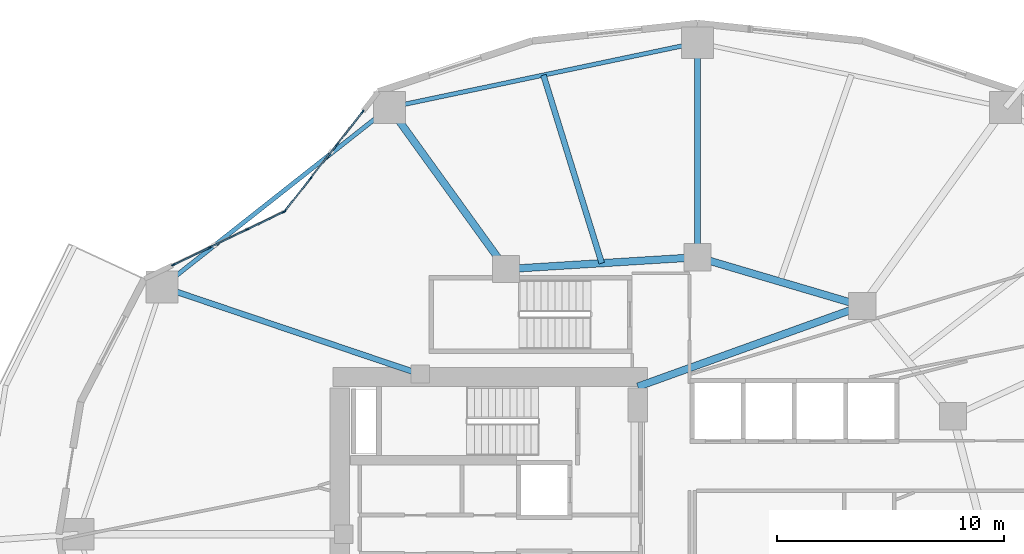
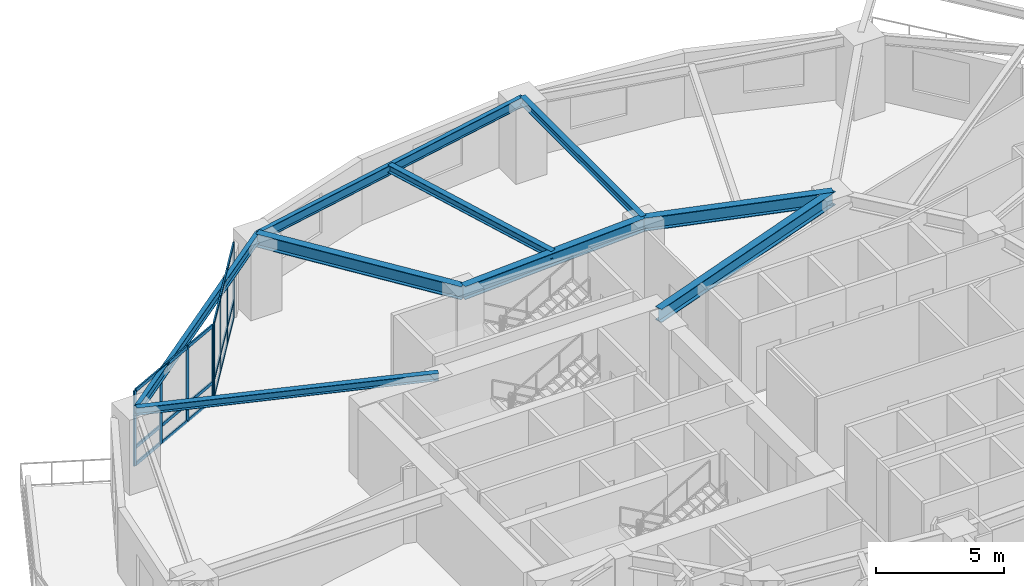
# One storey, part 4 of 14: 26 members, 9 beams, 2 elements without a shape of their own.
"""IFC4 building model written with IfcOpenShell, lengths in metres."""

from ifc_helpers import new_model, si_unit, direction, frame, origin, origin_2d, place, context, subcontext, project, spatial, rectangle, i_section, extrude, material, layer, layer_set, material_profile, profile_set, type_object, element, aggregate, save


model = new_model("IFC4")

# Units and contexts
model_context = context("Model", 3, precision=1e-05, world=origin(), true_north=direction((0.0, 1.0)))
body_context = subcontext(model_context, "Body", "Model", "MODEL_VIEW")
ifc_project = project(units=[si_unit("LENGTHUNIT", "METRE"), si_unit("AREAUNIT", "SQUARE_METRE"), si_unit("VOLUMEUNIT", "CUBIC_METRE"), si_unit("PLANEANGLEUNIT", "RADIAN"), si_unit("MASSUNIT", "GRAM", prefix="KILO")], contexts=[model_context])

# Site, building, storey
site_placement = place(None, origin())
site = spatial("IfcSite", under=ifc_project, at=site_placement, CompositionType="ELEMENT")
building_placement = place(site_placement, origin())
building = spatial("IfcBuilding", under=site, at=building_placement, Name="Kolvaren Gate Tower and Convention Centre", CompositionType="ELEMENT")
storey_placement = place(building_placement, frame((0.0, 0.0, 45.75)))
storey = spatial("IfcBuildingStorey", under=building, at=storey_placement, Name="L10", CompositionType="ELEMENT", Elevation=45.75)

# Curtain wall, members
ifc_material_1 = material(Name="Anodized Architectural Aluminium Alloy 6063-T6", Category="aluminium")
ifc_layer = layer(ifc_material_1, 0.159912109375)
ifc_layer_set = layer_set([ifc_layer], Name="Anodized Architectural Aluminium Alloy 6063-T6")
curtain_wall_type = type_object("IfcCurtainWallType", Name="CW-OFF-UNIT", PredefinedType="NOTDEFINED", material=ifc_layer_set)
curtain_wall_1_placement = place(storey_placement, origin())
curtain_wall_1 = element("IfcCurtainWall", 1, at=curtain_wall_1_placement, inside=storey, type_object=curtain_wall_type, Name="Tower L10 Unitised Curtain Wall CW-OFF-UNIT Bay 08", PredefinedType="NOTDEFINED")
ifc_material_profile_1 = material_profile(ifc_material_1, rectangle(XDim=0.06494140625, YDim=0.159912109375, at=origin_2d()), Name="CW-MEM-MUL-160")
ifc_profile_set_1 = profile_set([ifc_material_profile_1], Name="Anodized Architectural Aluminium Alloy 6063-T6")
member_type_1 = type_object("IfcMemberType", Name="CW-MEM-MUL-160", PredefinedType="MULLION", material=ifc_profile_set_1)
member_1_placement = place(storey_placement, frame((11.954833984375, 41.23828125, 0.0), z_axis=(0.0, 0.0, 1.0), x_axis=(-0.787416755422, 0.616421003276, 0.0)))
member_1 = element("IfcMember", 2, at=member_1_placement, type_object=member_type_1, Name="CW-02 mullion 1", PredefinedType="MULLION", context=body_context, shape_type="SweptSolid", body=[
    extrude(rectangle(XDim=0.06494140625, YDim=0.159912109375, at=origin_2d()), origin(), (0.0, 0.0, 1.0), 3.570068359375),
])
member_2_placement = place(storey_placement, frame((13.08935546875, 42.68798828125, 0.0), z_axis=(0.0, 0.0, 1.0), x_axis=(-0.787416755422, 0.616421003276, 0.0)))
member_2 = element("IfcMember", 3, at=member_2_placement, type_object=member_type_1, Name="CW-02 mullion 2", PredefinedType="MULLION", context=body_context, shape_type="SweptSolid", body=[
    extrude(rectangle(XDim=0.06494140625, YDim=0.159912109375, at=origin_2d()), origin(), (0.0, 0.0, 1.0), 3.570068359375),
])
member_3_placement = place(storey_placement, frame((14.244140625, 44.1630859375, 0.0), z_axis=(0.0, 0.0, 1.0), x_axis=(-0.787416755422, 0.616421003276, 0.0)))
member_3 = element("IfcMember", 4, at=member_3_placement, type_object=member_type_1, Name="CW-02 mullion 3", PredefinedType="MULLION", context=body_context, shape_type="SweptSolid", body=[
    extrude(rectangle(XDim=0.06494140625, YDim=0.159912109375, at=origin_2d()), origin(), (0.0, 0.0, 1.0), 3.570068359375),
])
member_4_placement = place(storey_placement, frame((15.37890625, 45.612548828125, 0.0), z_axis=(0.0, 0.0, 1.0), x_axis=(-0.787416755422, 0.616421003276, 0.0)))
member_4 = element("IfcMember", 5, at=member_4_placement, type_object=member_type_1, Name="CW-02 mullion 4", PredefinedType="MULLION", context=body_context, shape_type="SweptSolid", body=[
    extrude(rectangle(XDim=0.06494140625, YDim=0.159912109375, at=origin_2d()), origin(), (0.0, 0.0, 1.0), 3.570068359375),
])

curtain_wall_2_placement = place(storey_placement, origin())
curtain_wall_2 = element("IfcCurtainWall", 6, at=curtain_wall_2_placement, inside=storey, type_object=curtain_wall_type, Name="Tower L10 Unitised Curtain Wall CW-OFF-UNIT Bay 09", PredefinedType="NOTDEFINED")
member_5_placement = place(storey_placement, frame((7.0419921875, 38.862060546875, 0.0), z_axis=(0.0, 0.0, 1.0), x_axis=(-0.433056703319, 0.901366679942, 0.0)))
member_5 = element("IfcMember", 7, at=member_5_placement, type_object=member_type_1, Name="CW-02 mullion 1", PredefinedType="MULLION", context=body_context, shape_type="SweptSolid", body=[
    extrude(rectangle(XDim=0.06494140625, YDim=0.159912109375, at=origin_2d()), origin(), (0.0, 0.0, 1.0), 3.570068359375),
])
member_6_placement = place(storey_placement, frame((8.6533203125, 39.63623046875, 0.0), z_axis=(0.0, 0.0, 1.0), x_axis=(-0.433056703319, 0.901366679942, 0.0)))
member_6 = element("IfcMember", 8, at=member_6_placement, type_object=member_type_1, Name="CW-02 mullion 2", PredefinedType="MULLION", context=body_context, shape_type="SweptSolid", body=[
    extrude(rectangle(XDim=0.06494140625, YDim=0.159912109375, at=origin_2d()), origin(), (0.0, 0.0, 1.0), 3.570068359375),
])
member_7_placement = place(storey_placement, frame((10.2939453125, 40.424560546875, 0.0), z_axis=(0.0, 0.0, 1.0), x_axis=(-0.433056703319, 0.901366679942, 0.0)))
member_7 = element("IfcMember", 9, at=member_7_placement, type_object=member_type_1, Name="CW-02 mullion 3", PredefinedType="MULLION", context=body_context, shape_type="SweptSolid", body=[
    extrude(rectangle(XDim=0.06494140625, YDim=0.159912109375, at=origin_2d()), origin(), (0.0, 0.0, 1.0), 3.570068359375),
])
member_8_placement = place(storey_placement, frame((11.905517578125, 41.19873046875, 0.0), z_axis=(0.0, 0.0, 1.0), x_axis=(-0.433056703319, 0.901366679942, 0.0)))
member_8 = element("IfcMember", 10, at=member_8_placement, type_object=member_type_1, Name="CW-02 mullion 4", PredefinedType="MULLION", context=body_context, shape_type="SweptSolid", body=[
    extrude(rectangle(XDim=0.06494140625, YDim=0.159912109375, at=origin_2d()), origin(), (0.0, 0.0, 1.0), 3.570068359375),
])

# Member
ifc_material_profile_2 = material_profile(ifc_material_1, rectangle(XDim=0.06494140625, YDim=0.159912109375, at=origin_2d()), Name="CW-MEM-TRN-160")
ifc_profile_set_2 = profile_set([ifc_material_profile_2], Name="Anodized Architectural Aluminium Alloy 6063-T6")
member_type_2 = type_object("IfcMemberType", Name="CW-MEM-TRN-160", PredefinedType="USERDEFINED", material=ifc_profile_set_2)
member_9_placement = place(storey_placement, frame((11.974853515625, 41.263916015625, 0.032470703125), z_axis=(0.616326796425, 0.787490495186, 0.0), x_axis=(-0.787490495186, 0.616326796425, 0.0)))
member_9 = element("IfcMember", 11, at=member_9_placement, type_object=member_type_2, Name="CW-02 transom 1.1", ObjectType="TRANSOM", PredefinedType="USERDEFINED", context=body_context, shape_type="SweptSolid", body=[
    extrude(rectangle(XDim=0.06494140625, YDim=0.159912109375, at=origin_2d()), origin(), (0.0, 0.0, 1.0), 1.77587890625),
])

member_10_placement = place(storey_placement, frame((11.974853515625, 41.263916015625, 0.85009765625), z_axis=(0.616326796425, 0.787490495186, 0.0), x_axis=(-0.787490495186, 0.616326796425, 0.0)))
member_10 = element("IfcMember", 12, at=member_10_placement, type_object=member_type_2, Name="CW-02 transom 1.2", ObjectType="TRANSOM", PredefinedType="USERDEFINED", context=body_context, shape_type="SweptSolid", body=[
    extrude(rectangle(XDim=0.06494140625, YDim=0.159912109375, at=origin_2d()), origin(), (0.0, 0.0, 1.0), 1.77587890625),
])

member_11_placement = place(storey_placement, frame((11.974853515625, 41.263916015625, 3.53759765625), z_axis=(0.616326796425, 0.787490495186, 0.0), x_axis=(-0.787490495186, 0.616326796425, 0.0)))
member_11 = element("IfcMember", 13, at=member_11_placement, type_object=member_type_2, Name="CW-02 transom 1.3", ObjectType="TRANSOM", PredefinedType="USERDEFINED", context=body_context, shape_type="SweptSolid", body=[
    extrude(rectangle(XDim=0.06494140625, YDim=0.159912109375, at=origin_2d()), origin(), (0.0, 0.0, 1.0), 1.77587890625),
])

member_12_placement = place(storey_placement, frame((13.109619140625, 42.71337890625, 0.032470703125), z_axis=(0.616311901963, 0.78750215206, 0.0), x_axis=(-0.78750215206, 0.616311901963, 0.0)))
member_12 = element("IfcMember", 14, at=member_12_placement, type_object=member_type_2, Name="CW-02 transom 2.1", ObjectType="TRANSOM", PredefinedType="USERDEFINED", context=body_context, shape_type="SweptSolid", body=[
    extrude(rectangle(XDim=0.06494140625, YDim=0.159912109375, at=origin_2d()), origin(), (0.0, 0.0, 1.0), 1.808349609375),
])

member_13_placement = place(storey_placement, frame((13.109619140625, 42.71337890625, 0.85009765625), z_axis=(0.616311901963, 0.78750215206, 0.0), x_axis=(-0.78750215206, 0.616311901963, 0.0)))
member_13 = element("IfcMember", 15, at=member_13_placement, type_object=member_type_2, Name="CW-02 transom 2.2", ObjectType="TRANSOM", PredefinedType="USERDEFINED", context=body_context, shape_type="SweptSolid", body=[
    extrude(rectangle(XDim=0.06494140625, YDim=0.159912109375, at=origin_2d()), origin(), (0.0, 0.0, 1.0), 1.808349609375),
])

member_14_placement = place(storey_placement, frame((13.109619140625, 42.71337890625, 3.53759765625), z_axis=(0.616311901963, 0.78750215206, 0.0), x_axis=(-0.78750215206, 0.616311901963, 0.0)))
member_14 = element("IfcMember", 16, at=member_14_placement, type_object=member_type_2, Name="CW-02 transom 2.3", ObjectType="TRANSOM", PredefinedType="USERDEFINED", context=body_context, shape_type="SweptSolid", body=[
    extrude(rectangle(XDim=0.06494140625, YDim=0.159912109375, at=origin_2d()), origin(), (0.0, 0.0, 1.0), 1.808349609375),
])

member_15_placement = place(storey_placement, frame((14.26416015625, 44.1884765625, 0.032470703125), z_axis=(0.61641204316, 0.787423769674, 0.0), x_axis=(-0.787423769674, 0.61641204316, 0.0)))
member_15 = element("IfcMember", 17, at=member_15_placement, type_object=member_type_2, Name="CW-02 transom 3.1", ObjectType="TRANSOM", PredefinedType="USERDEFINED", context=body_context, shape_type="SweptSolid", body=[
    extrude(rectangle(XDim=0.06494140625, YDim=0.159912109375, at=origin_2d()), origin(), (0.0, 0.0, 1.0), 1.77587890625),
])

member_16_placement = place(storey_placement, frame((14.26416015625, 44.1884765625, 0.85009765625), z_axis=(0.61641204316, 0.787423769674, 0.0), x_axis=(-0.787423769674, 0.61641204316, 0.0)))
member_16 = element("IfcMember", 18, at=member_16_placement, type_object=member_type_2, Name="CW-02 transom 3.2", ObjectType="TRANSOM", PredefinedType="USERDEFINED", context=body_context, shape_type="SweptSolid", body=[
    extrude(rectangle(XDim=0.06494140625, YDim=0.159912109375, at=origin_2d()), origin(), (0.0, 0.0, 1.0), 1.77587890625),
])

member_17_placement = place(storey_placement, frame((14.26416015625, 44.1884765625, 3.53759765625), z_axis=(0.61641204316, 0.787423769674, 0.0), x_axis=(-0.787423769674, 0.61641204316, 0.0)))
member_17 = element("IfcMember", 19, at=member_17_placement, type_object=member_type_2, Name="CW-02 transom 3.3", ObjectType="TRANSOM", PredefinedType="USERDEFINED", context=body_context, shape_type="SweptSolid", body=[
    extrude(rectangle(XDim=0.06494140625, YDim=0.159912109375, at=origin_2d()), origin(), (0.0, 0.0, 1.0), 1.77587890625),
])

aggregate(curtain_wall_1, [member_1, member_2, member_3, member_4, member_9, member_10, member_11, member_12, member_13, member_14, member_15, member_16, member_17])

member_18_placement = place(storey_placement, frame((7.0712890625, 38.876220703125, 0.032470703125), z_axis=(0.901346061138, 0.433099616798, 0.0), x_axis=(-0.433099616798, 0.901346061138, 0.0)))
member_18 = element("IfcMember", 20, at=member_18_placement, type_object=member_type_2, Name="CW-02 transom 1.1", ObjectType="TRANSOM", PredefinedType="USERDEFINED", context=body_context, shape_type="SweptSolid", body=[
    extrude(rectangle(XDim=0.06494140625, YDim=0.159912109375, at=origin_2d()), origin(), (0.0, 0.0, 1.0), 1.72265625),
])

member_19_placement = place(storey_placement, frame((7.0712890625, 38.876220703125, 0.85009765625), z_axis=(0.901346061138, 0.433099616798, 0.0), x_axis=(-0.433099616798, 0.901346061138, 0.0)))
member_19 = element("IfcMember", 21, at=member_19_placement, type_object=member_type_2, Name="CW-02 transom 1.2", ObjectType="TRANSOM", PredefinedType="USERDEFINED", context=body_context, shape_type="SweptSolid", body=[
    extrude(rectangle(XDim=0.06494140625, YDim=0.159912109375, at=origin_2d()), origin(), (0.0, 0.0, 1.0), 1.72265625),
])

member_20_placement = place(storey_placement, frame((7.0712890625, 38.876220703125, 3.53759765625), z_axis=(0.901346061138, 0.433099616798, 0.0), x_axis=(-0.433099616798, 0.901346061138, 0.0)))
member_20 = element("IfcMember", 22, at=member_20_placement, type_object=member_type_2, Name="CW-02 transom 1.3", ObjectType="TRANSOM", PredefinedType="USERDEFINED", context=body_context, shape_type="SweptSolid", body=[
    extrude(rectangle(XDim=0.06494140625, YDim=0.159912109375, at=origin_2d()), origin(), (0.0, 0.0, 1.0), 1.72265625),
])

member_21_placement = place(storey_placement, frame((8.6826171875, 39.650390625, 0.032470703125), z_axis=(0.901407995871, 0.4329706976, 0.0), x_axis=(-0.4329706976, 0.901407995871, 0.0)))
member_21 = element("IfcMember", 23, at=member_21_placement, type_object=member_type_2, Name="CW-02 transom 2.1", ObjectType="TRANSOM", PredefinedType="USERDEFINED", context=body_context, shape_type="SweptSolid", body=[
    extrude(rectangle(XDim=0.06494140625, YDim=0.159912109375, at=origin_2d()), origin(), (0.0, 0.0, 1.0), 1.75537109375),
])

member_22_placement = place(storey_placement, frame((8.6826171875, 39.650390625, 0.85009765625), z_axis=(0.901407995871, 0.4329706976, 0.0), x_axis=(-0.4329706976, 0.901407995871, 0.0)))
member_22 = element("IfcMember", 24, at=member_22_placement, type_object=member_type_2, Name="CW-02 transom 2.2", ObjectType="TRANSOM", PredefinedType="USERDEFINED", context=body_context, shape_type="SweptSolid", body=[
    extrude(rectangle(XDim=0.06494140625, YDim=0.159912109375, at=origin_2d()), origin(), (0.0, 0.0, 1.0), 1.75537109375),
])

member_23_placement = place(storey_placement, frame((8.6826171875, 39.650390625, 3.53759765625), z_axis=(0.901407995871, 0.4329706976, 0.0), x_axis=(-0.4329706976, 0.901407995871, 0.0)))
member_23 = element("IfcMember", 25, at=member_23_placement, type_object=member_type_2, Name="CW-02 transom 2.3", ObjectType="TRANSOM", PredefinedType="USERDEFINED", context=body_context, shape_type="SweptSolid", body=[
    extrude(rectangle(XDim=0.06494140625, YDim=0.159912109375, at=origin_2d()), origin(), (0.0, 0.0, 1.0), 1.75537109375),
])

member_24_placement = place(storey_placement, frame((10.3232421875, 40.438720703125, 0.032470703125), z_axis=(0.901427946986, 0.43292915863, 0.0), x_axis=(-0.43292915863, 0.901427946986, 0.0)))
member_24 = element("IfcMember", 26, at=member_24_placement, type_object=member_type_2, Name="CW-02 transom 3.1", ObjectType="TRANSOM", PredefinedType="USERDEFINED", context=body_context, shape_type="SweptSolid", body=[
    extrude(rectangle(XDim=0.06494140625, YDim=0.159912109375, at=origin_2d()), origin(), (0.0, 0.0, 1.0), 1.722900390625),
])

member_25_placement = place(storey_placement, frame((10.3232421875, 40.438720703125, 0.85009765625), z_axis=(0.901427946986, 0.43292915863, 0.0), x_axis=(-0.43292915863, 0.901427946986, 0.0)))
member_25 = element("IfcMember", 27, at=member_25_placement, type_object=member_type_2, Name="CW-02 transom 3.2", ObjectType="TRANSOM", PredefinedType="USERDEFINED", context=body_context, shape_type="SweptSolid", body=[
    extrude(rectangle(XDim=0.06494140625, YDim=0.159912109375, at=origin_2d()), origin(), (0.0, 0.0, 1.0), 1.722900390625),
])

member_26_placement = place(storey_placement, frame((10.3232421875, 40.438720703125, 3.53759765625), z_axis=(0.901427946986, 0.43292915863, 0.0), x_axis=(-0.43292915863, 0.901427946986, 0.0)))
member_26 = element("IfcMember", 28, at=member_26_placement, type_object=member_type_2, Name="CW-02 transom 3.3", ObjectType="TRANSOM", PredefinedType="USERDEFINED", context=body_context, shape_type="SweptSolid", body=[
    extrude(rectangle(XDim=0.06494140625, YDim=0.159912109375, at=origin_2d()), origin(), (0.0, 0.0, 1.0), 1.722900390625),
])

aggregate(curtain_wall_2, [member_5, member_6, member_7, member_8, member_18, member_19, member_20, member_21, member_22, member_23, member_24, member_25, member_26])

# Beams
ifc_material_2 = material(Name="Structural steel ASTM A992 Grade 345 MPa", Category="steel")
ifc_material_profile_3 = material_profile(ifc_material_2, i_section(OverallWidth=0.327880859375, OverallDepth=0.6279296875, WebThickness=0.0166015625, FlangeThickness=0.027587890625, at=origin_2d()), Name="W610X217")
ifc_profile_set_3 = profile_set([ifc_material_profile_3], Name="Structural steel ASTM A992 Grade 345 MPa")
beam_type_1 = type_object("IfcBeamType", Name="STR-BM-W610X217", PredefinedType="BEAM", material=ifc_profile_set_3)
beam_1_placement = place(storey_placement, frame((37.381591796875, 37.054931640625, 3.256103515625), z_axis=(-0.958980837827, 0.283470902706, 0.0), x_axis=(-0.283470902706, -0.958980837827, 0.0)))
element("IfcBeam", 29, at=beam_1_placement, inside=storey, type_object=beam_type_1, Name="Tower L10 Primary Ring Girder G-03", PredefinedType="BEAM", context=body_context, shape_type="SweptSolid", body=[
    extrude(i_section(OverallWidth=0.327880859375, OverallDepth=0.6279296875, WebThickness=0.0166015625, FlangeThickness=0.027587890625, at=origin_2d()), origin(), (0.0, 0.0, 1.0), 7.56689453125),
])
beam_2_placement = place(storey_placement, frame((30.125, 39.199951171875, 3.256103515625), z_axis=(-0.998078258568, -0.06196603726, 0.0), x_axis=(0.06196603726, -0.998078258568, 0.0)))
element("IfcBeam", 30, at=beam_2_placement, inside=storey, type_object=beam_type_1, Name="Tower L10 Primary Ring Girder G-04", PredefinedType="BEAM", context=body_context, shape_type="SweptSolid", body=[
    extrude(i_section(OverallWidth=0.327880859375, OverallDepth=0.6279296875, WebThickness=0.0166015625, FlangeThickness=0.027587890625, at=origin_2d()), origin(), (0.0, 0.0, 1.0), 8.443115234375),
])
beam_3_placement = place(storey_placement, frame((27.5, 33.5, 3.256103515625), z_axis=(0.940961479908, 0.338513653093, 0.0), x_axis=(-0.338513653093, 0.940961479908, 0.0)))
element("IfcBeam", 31, at=beam_3_placement, inside=storey, type_object=beam_type_1, Name="Tower L10 Primary Ring Girder G-10", PredefinedType="BEAM", context=body_context, shape_type="SweptSolid", body=[
    extrude(i_section(OverallWidth=0.327880859375, OverallDepth=0.6279296875, WebThickness=0.0166015625, FlangeThickness=0.027587890625, at=origin_2d()), origin(), (0.0, 0.0, 1.0), 10.501708984375),
])
beam_4_placement = place(storey_placement, frame((21.697998046875, 38.6767578125, 3.256103515625), z_axis=(-0.585208283095, 0.810883015852, 0.0), x_axis=(-0.810883015852, -0.585208283095, 0.0)))
element("IfcBeam", 32, at=beam_4_placement, inside=storey, type_object=beam_type_1, Name="Tower L10 Radial Floor Girder RB-05", PredefinedType="BEAM", context=body_context, shape_type="SweptSolid", body=[
    extrude(i_section(OverallWidth=0.327880859375, OverallDepth=0.6279296875, WebThickness=0.0166015625, FlangeThickness=0.027587890625, at=origin_2d()), origin(), (0.0, 0.0, 1.0), 8.780029296875),
])
ifc_material_profile_4 = material_profile(ifc_material_2, i_section(OverallWidth=0.2548828125, OverallDepth=0.35693359375, WebThickness=0.010498046875, FlangeThickness=0.018310546875, at=origin_2d()), Name="W360X101")
ifc_profile_set_4 = profile_set([ifc_material_profile_4], Name="Structural steel ASTM A992 Grade 345 MPa")
beam_type_2 = type_object("IfcBeamType", Name="STR-JS-W360X101", PredefinedType="JOIST", material=ifc_profile_set_4)
beam_5_placement = place(storey_placement, frame((30.125, 39.199951171875, 3.3916015625), z_axis=(0.0, 1.0, 0.0), x_axis=(-1.0, 0.0, 0.0)))
element("IfcBeam", 33, at=beam_5_placement, inside=storey, type_object=beam_type_2, Name="Tower L10 Radial Floor Girder RB-04", PredefinedType="JOIST", context=body_context, shape_type="SweptSolid", body=[
    extrude(i_section(OverallWidth=0.2548828125, OverallDepth=0.35693359375, WebThickness=0.010498046875, FlangeThickness=0.018310546875, at=origin_2d()), origin(), (0.0, 0.0, 1.0), 9.449951171875),
])
beam_6_placement = place(storey_placement, frame((17.9140625, 34.050048828125, 3.3916015625), z_axis=(-0.947373842609, 0.320129352512, 0.0), x_axis=(-0.320129352512, -0.947373842609, 0.0)))
element("IfcBeam", 34, at=beam_6_placement, inside=storey, type_object=beam_type_2, Name="Tower L10 Radial Floor Girder RB-06", PredefinedType="JOIST", context=body_context, shape_type="SweptSolid", body=[
    extrude(i_section(OverallWidth=0.2548828125, OverallDepth=0.35693359375, WebThickness=0.010498046875, FlangeThickness=0.018310546875, at=origin_2d()), origin(), (0.0, 0.0, 1.0), 12.006103515625),
])
beam_7_placement = place(storey_placement, frame((25.91162109375, 38.938232421875, 3.3916015625), z_axis=(-0.296205333134, 0.955124285433, 0.0), x_axis=(-0.955124285433, -0.296205333134, 0.0)))
element("IfcBeam", 35, at=beam_7_placement, inside=storey, type_object=beam_type_2, Name="Tower L10 Secondary Composite Floor Joist J-04.1", PredefinedType="JOIST", context=body_context, shape_type="SweptSolid", body=[
    extrude(i_section(OverallWidth=0.2548828125, OverallDepth=0.35693359375, WebThickness=0.010498046875, FlangeThickness=0.018310546875, at=origin_2d()), origin(), (0.0, 0.0, 1.0), 8.674072265625),
])
ifc_material_profile_5 = material_profile(ifc_material_2, i_section(OverallWidth=0.194091796875, OverallDepth=0.468994140625, WebThickness=0.0126953125, FlangeThickness=0.0205078125, at=origin_2d()), Name="W460X106")
ifc_profile_set_5 = profile_set([ifc_material_profile_5], Name="Structural steel ASTM A992 Grade 345 MPa")
beam_type_3 = type_object("IfcBeamType", Name="STR-SP-W460X106", PredefinedType="SPANDREL", material=ifc_profile_set_5)
beam_8_placement = place(storey_placement, frame((30.125, 48.64990234375, 3.33544921875), z_axis=(-0.978583407863, -0.205850707685, 0.0), x_axis=(0.205850707685, -0.978583407863, 0.0)))
element("IfcBeam", 36, at=beam_8_placement, inside=storey, type_object=beam_type_3, Name="Tower L10 Perimeter Spandrel Beam SP-04", PredefinedType="SPANDREL", context=body_context, shape_type="SweptSolid", body=[
    extrude(i_section(OverallWidth=0.194091796875, OverallDepth=0.468994140625, WebThickness=0.0126953125, FlangeThickness=0.0205078125, at=origin_2d()), origin(), (0.0, 0.0, 1.0), 13.862060546875),
])
beam_9_placement = place(storey_placement, frame((16.559814453125, 45.79638671875, 3.33544921875), z_axis=(-0.785176498861, -0.619272044933, 0.0), x_axis=(0.619272044933, -0.785176498861, 0.0)))
element("IfcBeam", 37, at=beam_9_placement, inside=storey, type_object=beam_type_3, Name="Tower L10 Perimeter Spandrel Beam SP-05", PredefinedType="SPANDREL", context=body_context, shape_type="SweptSolid", body=[
    extrude(i_section(OverallWidth=0.194091796875, OverallDepth=0.468994140625, WebThickness=0.0126953125, FlangeThickness=0.0205078125, at=origin_2d()), origin(), (0.0, 0.0, 1.0), 12.761474609375),
])

save(model, "model.ifc")
